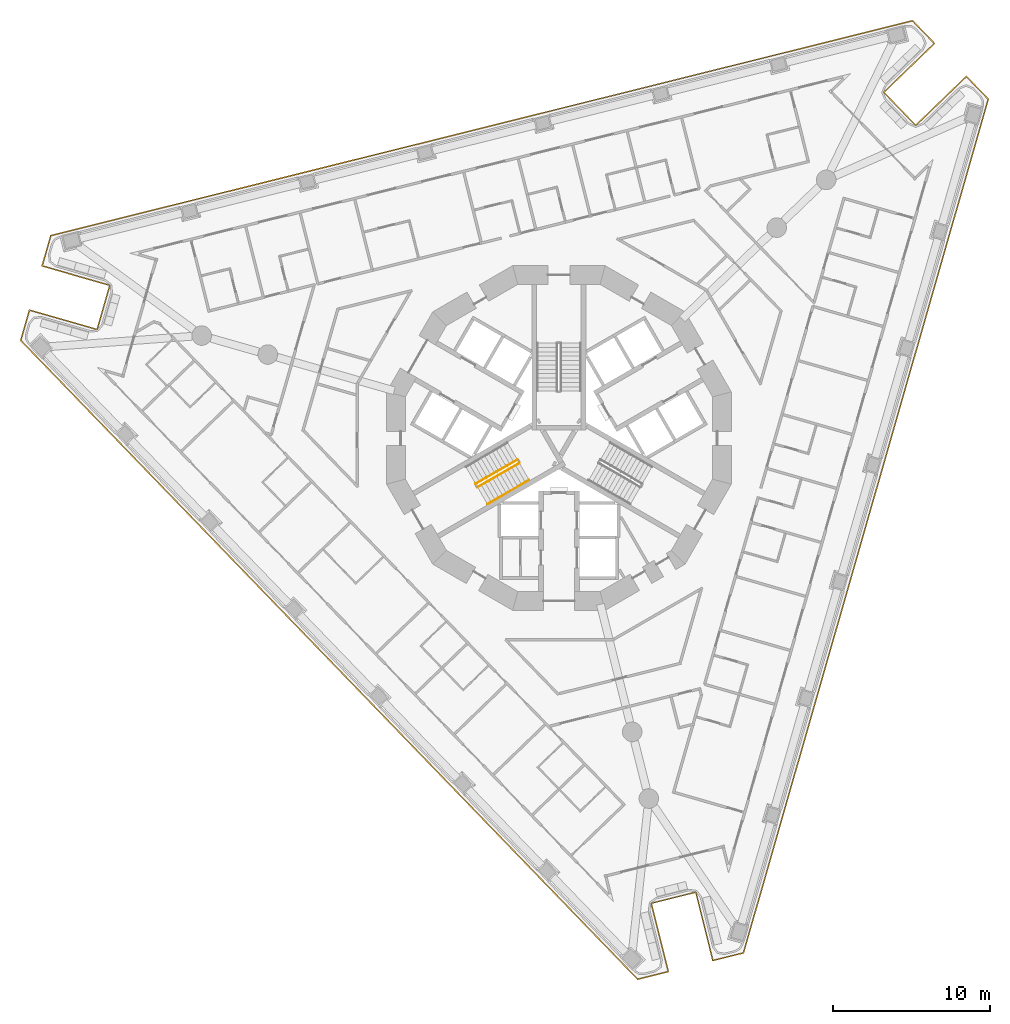
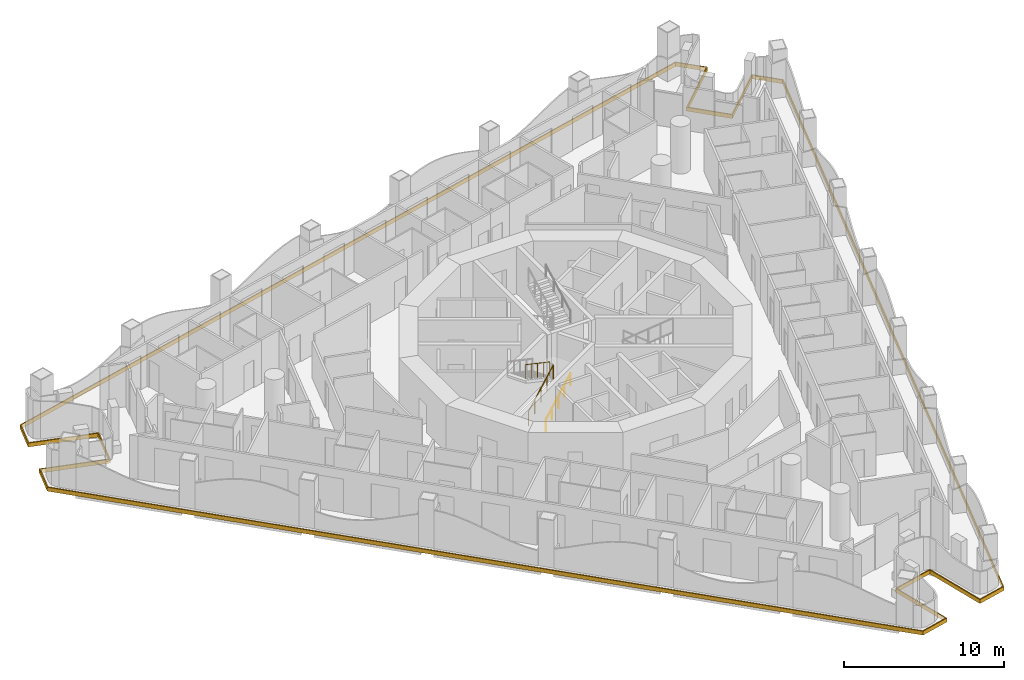
# One storey, part 14 of 20: 4 railings, 1 covering.
"""IFC4 building model written with IfcOpenShell, lengths in metres."""

from ifc_helpers import new_model, si_unit, direction, frame, origin, origin_2d, place, context, subcontext, project, spatial, polyline, circle, outline, extrude, material, layer, layer_set, type_object, element, save


model = new_model("IFC4")

# Units and contexts
model_context = context("Model", 3, precision=1e-05, world=origin(), true_north=direction((0.0, 1.0)))
body_context = subcontext(model_context, "Body", "Model", "MODEL_VIEW")
ifc_project = project(units=[si_unit("LENGTHUNIT", "METRE"), si_unit("AREAUNIT", "SQUARE_METRE"), si_unit("VOLUMEUNIT", "CUBIC_METRE"), si_unit("PLANEANGLEUNIT", "RADIAN"), si_unit("MASSUNIT", "GRAM", prefix="KILO")], contexts=[model_context])

# Site, building, storey
site_placement = place(None, origin())
site = spatial("IfcSite", under=ifc_project, at=site_placement, CompositionType="ELEMENT")
building_placement = place(site_placement, origin())
building = spatial("IfcBuilding", under=site, at=building_placement, Name="Trine Commons Tower", CompositionType="ELEMENT")
storey_placement = place(building_placement, frame((0.0, 0.0, 101.699951171875)))
storey = spatial("IfcBuildingStorey", under=building, at=storey_placement, Name="L25", CompositionType="ELEMENT", Elevation=101.699951171875)

# Covering
ifc_material_1 = material(Name="Limestone, honed", Category="masonry")
ifc_layer = layer(ifc_material_1, 0.074951171875)
ifc_layer_set = layer_set([ifc_layer], Name="Limestone, honed")
covering_type = type_object("IfcCoveringType", Name="Limestone spandrel panel 75", PredefinedType="CLADDING", material=ifc_layer_set)
covering_placement = place(storey_placement, frame((0.0, 0.0, -0.300048828125)))
element("IfcCovering", 1, at=covering_placement, inside=storey, type_object=covering_type, Name="Limestone spandrel panel 3-01", PredefinedType="CLADDING", context=body_context, shape_type="SweptSolid", body=[
    extrude(outline(polyline([(88.716064453125, 33.432373046875), (89.8046875, 29.06591796875), (91.8251953125, 29.56982421875), (107.478759765625, 84.159912109375), (106.031982421875, 85.657958984375), (102.795166015625, 82.531982421875), (100.815185546875, 84.58203125), (104.052490234375, 87.7080078125), (102.605712890625, 89.2060546875), (47.50244140625, 75.46728515625), (46.928466796875, 73.465576171875), (51.254150390625, 72.22509765625), (50.468505859375, 69.485595703125), (46.14306640625, 70.725830078125), (45.569091796875, 68.72412109375), (85.018798828125, 27.872802734375), (87.039306640625, 28.37646484375), (85.95068359375, 32.742919921875), (88.716064453125, 33.432373046875)]), holes=[polyline([(106.0302734375, 85.552001953125), (107.394775390625, 84.13916015625), (91.764892578125, 29.632080078125), (89.859375, 29.156982421875), (88.7705078125, 33.523193359375), (85.85986328125, 32.797607421875), (86.948486328125, 28.43115234375), (85.04248046875, 27.9560546875), (45.653076171875, 68.7451171875), (46.1943359375, 70.63330078125), (50.52001953125, 69.392822265625), (51.346923828125, 72.276611328125), (47.021240234375, 73.516845703125), (47.562744140625, 75.405029296875), (102.581787109375, 89.122802734375), (103.9462890625, 87.7099609375), (100.709228515625, 84.583984375), (102.793212890625, 82.426025390625), (106.0302734375, 85.552001953125)])]), origin(), (0.0, 0.0, 1.0), 0.300048828125),
])

# Railings
ifc_material_2 = material(Name="Stainless steel balustrade", Category="steel")
railing_type_1 = type_object("IfcRailingType", Name="Stair guard, steel balustrade 1100", PredefinedType="GUARDRAIL", material=ifc_material_2)
railing_1_placement = place(storey_placement, frame((74.80517578125, 59.3564453125, 0.150146484375)))
element("IfcRailing", 2, at=railing_1_placement, inside=storey, type_object=railing_type_1, Name="L25 ST2A stair guard 1", PredefinedType="GUARDRAIL", context=body_context, shape_type="SweptSolid", body=[
    extrude(circle(Radius=0.02392578125, at=origin_2d()), frame((0.0, 0.0, 1.076171875), z_axis=(0.76340495495, 0.440743040072, 0.472184759798), x_axis=(-0.499992328818, 0.866029832698, 0.0)), (0.0, 0.0, 1.0), 3.494140625),
    extrude(circle(Radius=0.02099609375, at=origin_2d()), origin(), (0.0, 0.0, 1.0), 1.052001953125),
    extrude(circle(Radius=0.02099609375, at=origin_2d()), frame((0.6669921875, 0.385009765625, 0.41259765625)), (0.0, 0.0, 1.0), 1.052001953125),
    extrude(circle(Radius=0.02099609375, at=origin_2d()), frame((1.333740234375, 0.77001953125, 0.824951171875)), (0.0, 0.0, 1.0), 1.052001953125),
    extrude(circle(Radius=0.02099609375, at=origin_2d()), frame((2.00048828125, 1.155029296875, 1.2373046875)), (0.0, 0.0, 1.0), 1.052001953125),
    extrude(circle(Radius=0.02099609375, at=origin_2d()), frame((2.66748046875, 1.5400390625, 1.64990234375)), (0.0, 0.0, 1.0), 1.052001953125),
])
railing_2_placement = place(storey_placement, frame((77.34765625, 61.113037109375, 1.949951171875)))
element("IfcRailing", 3, at=railing_2_placement, inside=storey, type_object=railing_type_1, Name="L25 ST2A stair guard 3", PredefinedType="GUARDRAIL", context=body_context, shape_type="SweptSolid", body=[
    extrude(circle(Radius=0.02392578125, at=origin_2d()), frame((0.0, 0.0, 1.076171875), z_axis=(-0.763379768245, -0.440728498818, 0.472239049384), x_axis=(0.499992328818, -0.866029832698, 0.0)), (0.0, 0.0, 1.0), 3.494384765625),
    extrude(circle(Radius=0.02099609375, at=origin_2d()), origin(), (0.0, 0.0, 1.0), 1.052001953125),
    extrude(circle(Radius=0.02099609375, at=origin_2d()), frame((-0.6669921875, -0.385009765625, 0.41259765625)), (0.0, 0.0, 1.0), 1.052001953125),
    extrude(circle(Radius=0.02099609375, at=origin_2d()), frame((-1.333740234375, -0.77001953125, 0.8251953125)), (0.0, 0.0, 1.0), 1.052001953125),
    extrude(circle(Radius=0.02099609375, at=origin_2d()), frame((-2.00048828125, -1.155029296875, 1.237548828125)), (0.0, 0.0, 1.0), 1.052001953125),
    extrude(circle(Radius=0.02099609375, at=origin_2d()), frame((-2.66748046875, -1.5400390625, 1.650146484375)), (0.0, 0.0, 1.0), 1.052001953125),
])
ifc_material_3 = material(Name="Stainless steel handrail", Category="steel")
railing_type_2 = type_object("IfcRailingType", Name="Stair handrail, steel 900", PredefinedType="HANDRAIL", material=ifc_material_3)
for number, where, name in (
    (4, (75.43017578125, 58.27392578125, 0.150146484375), "L25 ST2A stair handrail 1"),
    (5, (76.763916015625, 59.0439453125, 0.97509765625), "L25 ST2A stair handrail 2"),
):
    element("IfcRailing", number, at=place(storey_placement, frame(where)), inside=storey, type_object=railing_type_2, Name=name, PredefinedType="HANDRAIL", context=body_context, shape_type="SweptSolid", body=[
        extrude(circle(Radius=0.02099609375, at=origin_2d()), frame((0.0, 0.0, 0.87890625), z_axis=(0.76340495495, 0.440743040072, 0.472184759798), x_axis=(-0.499992328818, 0.866029832698, 0.0)), (0.0, 0.0, 1.0), 1.7470703125),
        extrude(circle(Radius=0.01513671875, at=origin_2d()), origin(), (0.0, 0.0, 1.0), 0.85791015625),
        extrude(circle(Radius=0.01513671875, at=origin_2d()), frame((0.6669921875, 0.385009765625, 0.41259765625)), (0.0, 0.0, 1.0), 0.85791015625),
        extrude(circle(Radius=0.01513671875, at=origin_2d()), frame((1.333740234375, 0.77001953125, 0.824951171875)), (0.0, 0.0, 1.0), 0.85791015625),
    ])

save(model, "model.ifc")
